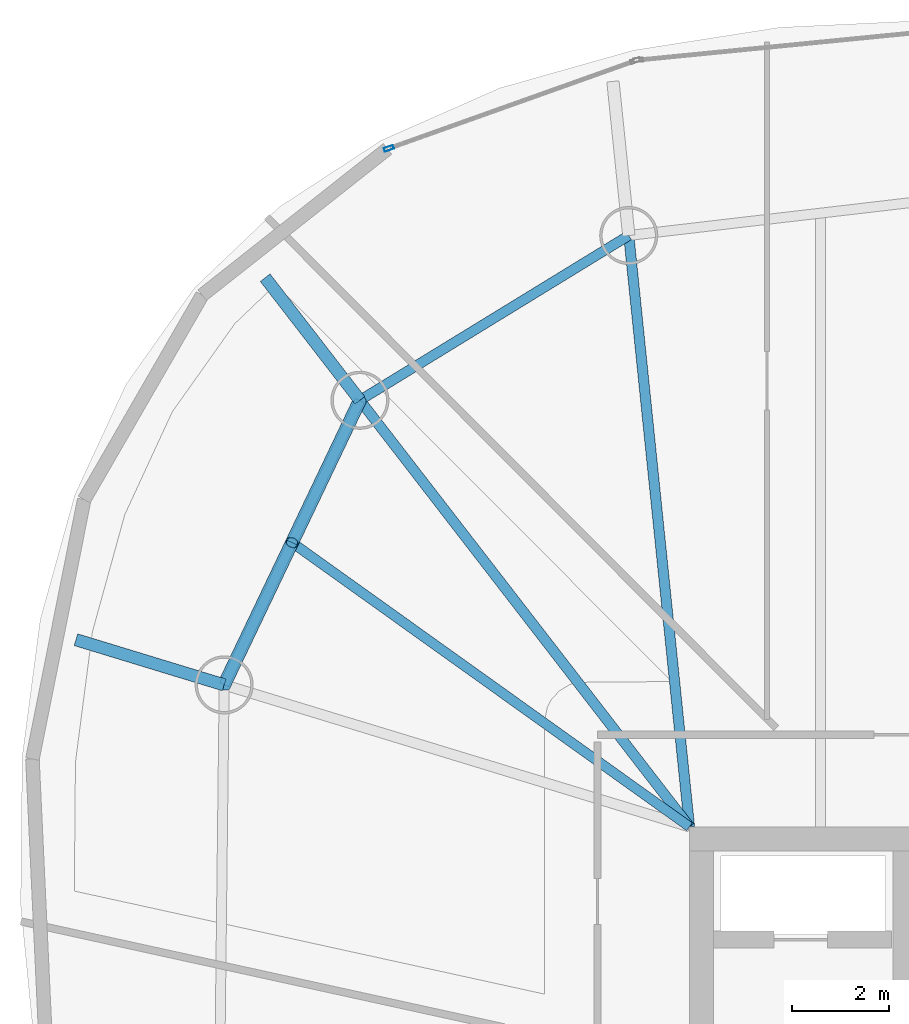
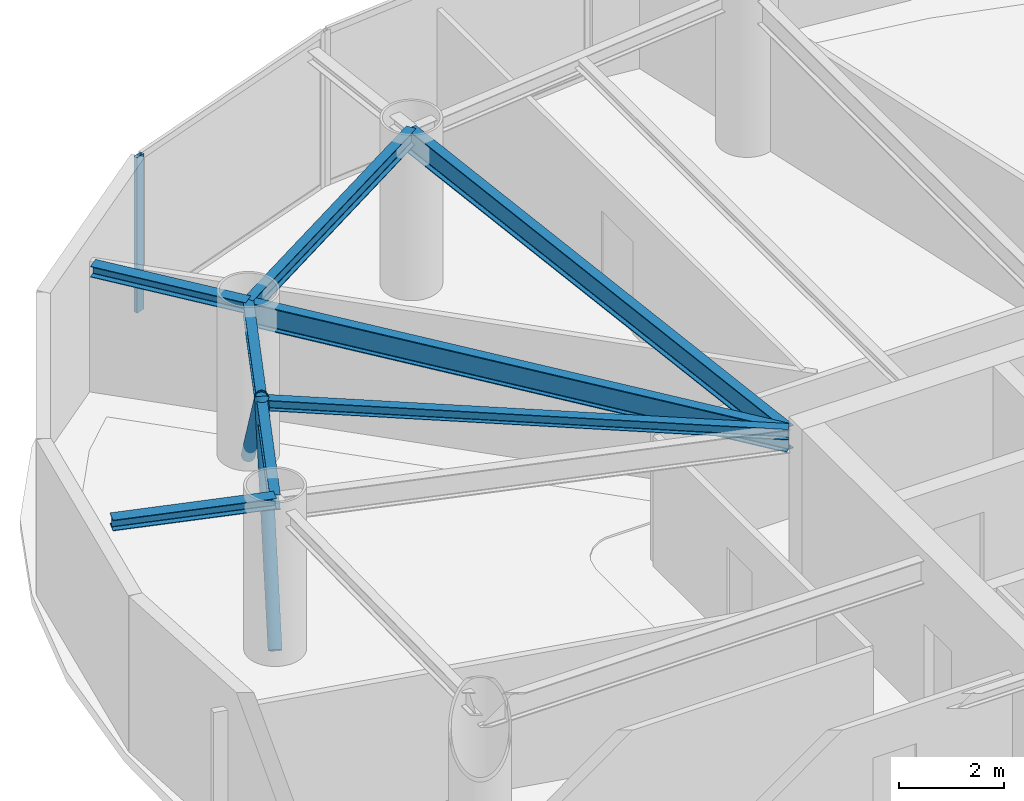
# One storey, part 11 of 23: 7 beams, 3 members, 1 element without a shape of its own.
"""IFC4 building model written with IfcOpenShell, lengths in metres."""

import ifcopenshell
import ifcopenshell.guid

model = None  # the IFC model being written
_history = None  # IfcOwnerHistory: only IFC2X3 demands one
_inside = {}  # id of a spatial element -> (the spatial element, [elements in it])
_under = {}  # id of a project, library or spatial element -> (it, [spatial elements below it])
_declared = {}  # id of a project -> (the project, [libraries it declares])
_typed = {}  # id of a type object -> (the type object, [elements of that type])
_made_of = {}  # id of a material, layer set ... -> (it, [elements and type objects made of it])


def new_model(schema):
    """Start an empty IFC model of exactly this schema.

    Asked for "IFC4X3", IfcOpenShell would pick the latest addendum, in which some entities
    have other attributes; the version numbers below select the first issue.
    IFC2X3 requires an IfcOwnerHistory on every rooted entity: one is made here for all.
    """
    global model, _history
    if schema == "IFC4X3":
        model = ifcopenshell.file(schema_version=(4, 3, 0, 0))
    else:
        model = ifcopenshell.file(schema=schema)
    _inside.clear()
    _under.clear()
    _declared.clear()
    _typed.clear()
    _made_of.clear()
    _history = None
    if model.schema == "IFC2X3":
        org = make("IfcOrganization", Name="unknown")
        user = make(
            "IfcPersonAndOrganization",
            ThePerson=make("IfcPerson", FamilyName="unknown"),
            TheOrganization=org,
        )
        app = make(
            "IfcApplication",
            ApplicationDeveloper=org,
            Version="unknown",
            ApplicationFullName="unknown",
            ApplicationIdentifier="unknown",
        )
        _history = make(
            "IfcOwnerHistory",
            OwningUser=user,
            OwningApplication=app,
            ChangeAction="ADDED",
            CreationDate=0,
        )
    return model


def make(cls, **values):
    """One entity of the class cls with the attributes given. An attribute that is None is left unset."""
    return model.create_entity(
        cls, **{name: value for name, value in values.items() if value is not None}
    )


def rooted(cls, **values):
    """An entity with a GlobalId (a new one), such as an element, a storey or a relation."""
    return make(cls, GlobalId=ifcopenshell.guid.new(), OwnerHistory=_history, **values)


def si_unit(unit_type, name, prefix=None):
    """IfcSIUnit, for example si_unit("LENGTHUNIT", "METRE", prefix="MILLI")."""
    return make("IfcSIUnit", UnitType=unit_type, Prefix=prefix, Name=name)


def assignment(units):
    """IfcUnitAssignment: the units of a project."""
    return None if units is None else make("IfcUnitAssignment", Units=units)


def point(xyz):
    """IfcCartesianPoint."""
    return None if xyz is None else make("IfcCartesianPoint", Coordinates=xyz)


def direction(xyz):
    """IfcDirection."""
    return None if xyz is None else make("IfcDirection", DirectionRatios=xyz)


def frame(location, z_axis=None, x_axis=None):
    """IfcAxis2Placement3D, a coordinate frame: its origin and axes. An axis left out is left unset."""
    return make(
        "IfcAxis2Placement3D",
        Location=point(location),
        Axis=direction(z_axis),
        RefDirection=direction(x_axis),
    )


def frame_2d(location, x_axis=None):
    """IfcAxis2Placement2D, a coordinate frame in the plane: its origin and x axis."""
    return make(
        "IfcAxis2Placement2D", Location=point(location), RefDirection=direction(x_axis)
    )


def origin():
    """The frame at (0, 0, 0) with its axes left unset."""
    return frame((0.0, 0.0, 0.0))


def origin_2d():
    """The frame at (0, 0) in the plane with its x axis left unset."""
    return frame_2d((0.0, 0.0))


def place(relative_to, where):
    """IfcLocalPlacement: puts the frame where relative to a parent placement (None: the world)."""
    return make(
        "IfcLocalPlacement", PlacementRelTo=relative_to, RelativePlacement=where
    )


def context(
    kind, dimensions, precision=None, world=None, true_north=None, identifier=None
):
    """IfcGeometricRepresentationContext, for example the 3D "Model" context."""
    return make(
        "IfcGeometricRepresentationContext",
        ContextIdentifier=identifier,
        ContextType=kind,
        CoordinateSpaceDimension=dimensions,
        Precision=precision,
        WorldCoordinateSystem=world,
        TrueNorth=true_north,
    )


def subcontext(parent, identifier, kind, view, scale=None):
    """IfcGeometricRepresentationSubContext, for example "Body" below "Model"."""
    return make(
        "IfcGeometricRepresentationSubContext",
        ContextIdentifier=identifier,
        ContextType=kind,
        ParentContext=parent,
        TargetScale=scale,
        TargetView=view,
    )


def project(units=None, contexts=None):
    """IfcProject with its units and contexts."""
    return rooted(
        "IfcProject",
        Name="project",
        RepresentationContexts=contexts,
        UnitsInContext=assignment(units),
    )


def spatial(cls, under=None, at=None, **own):
    """A site, building, storey or space (cls), placed at a placement, below another one or the project."""
    s = rooted(cls, ObjectPlacement=at, **own)
    if under is not None:
        _under.setdefault(under.id(), (under, []))[1].append(s)
    return s


def profile(cls, at=None, kind="AREA", **sizes):
    """A parametric profile (cls). Its sizes go by their IFC names, for example OverallWidth=200.0."""
    return make(cls, ProfileType=kind, Position=at, **sizes)


def hollow_rectangle(**sizes):
    """IfcRectangleHollowProfileDef."""
    return profile("IfcRectangleHollowProfileDef", **sizes)


def hollow_circle(**sizes):
    """IfcCircleHollowProfileDef."""
    return profile("IfcCircleHollowProfileDef", **sizes)


def i_section(**sizes):
    """IfcIShapeProfileDef."""
    return profile("IfcIShapeProfileDef", **sizes)


def extrude(swept, where, along, depth):
    """IfcExtrudedAreaSolid: the profile swept, set in the frame where, extruded along a direction by depth."""
    return make(
        "IfcExtrudedAreaSolid",
        SweptArea=swept,
        Position=where,
        ExtrudedDirection=direction(along),
        Depth=depth,
    )


def shape(context_of_items, identifier, shape_type, items):
    """IfcShapeRepresentation: the items that make up one representation, for example the "Body"."""
    return make(
        "IfcShapeRepresentation",
        ContextOfItems=context_of_items,
        RepresentationIdentifier=identifier,
        RepresentationType=shape_type,
        Items=items,
    )


def material(Name=None, Category=None):
    """IfcMaterial."""
    return make("IfcMaterial", Name=Name, Category=Category)


def layer(
    of_material, thickness, ventilated=None, Name=None, Category=None, Priority=None
):
    """IfcMaterialLayer: one layer of a wall or slab, of a material (None: an air gap)."""
    return make(
        "IfcMaterialLayer",
        Material=of_material,
        LayerThickness=thickness,
        IsVentilated=ventilated,
        Name=Name,
        Category=Category,
        Priority=Priority,
    )


def layer_set(layers, Name=None):
    """IfcMaterialLayerSet."""
    return make("IfcMaterialLayerSet", MaterialLayers=layers, LayerSetName=Name)


def material_profile(
    of_material, cross_section, Name=None, Category=None, Priority=None
):
    """IfcMaterialProfile: a cross section and its material."""
    return make(
        "IfcMaterialProfile",
        Name=Name,
        Material=of_material,
        Profile=cross_section,
        Priority=Priority,
        Category=Category,
    )


def profile_set(profiles, Name=None, composite=None):
    """IfcMaterialProfileSet."""
    return make(
        "IfcMaterialProfileSet",
        Name=Name,
        MaterialProfiles=profiles,
        CompositeProfile=composite,
    )


def made_of(thing, what):
    """Note that an element or type object is made of a material, layer set ...; save() writes the relation."""
    if what is not None:
        _made_of.setdefault(what.id(), (what, []))[1].append(thing)
    return thing


def type_object(cls, material=None, **own):
    """A type object (cls), such as IfcWallType, which elements share."""
    return made_of(rooted(cls, **own), material)


def element(
    cls,
    number,
    at=None,
    inside=None,
    cuts=None,
    type_object=None,
    material=None,
    context=None,
    identifier="Body",
    shape_type=None,
    held_by="IfcProductDefinitionShape",
    body=None,
    shapes=None,
    **own,
):
    """One element of the class cls, such as IfcWall. Its Tag is "e" and its number.

    at: its placement. inside: the storey or other place that contains it. cuts: it is an
    opening in that element (IfcRelVoidsElement). A single representation is given by context,
    identifier, shape_type and body (its items); several are given by shapes. held_by: the class
    of the entity that holds the representations. save() writes the other relations.
    """
    e = rooted(cls, Tag="e%d" % number, ObjectPlacement=at, **own)
    if body is not None:
        shapes = [shape(context, identifier, shape_type, body)]
    if shapes is not None:
        e.Representation = make(held_by, Representations=shapes)
    if inside is not None:
        _inside.setdefault(inside.id(), (inside, []))[1].append(e)
    if cuts is not None:
        rooted(
            "IfcRelVoidsElement", RelatingBuildingElement=cuts, RelatedOpeningElement=e
        )
    if type_object is not None:
        _typed.setdefault(type_object.id(), (type_object, []))[1].append(e)
    return made_of(e, material)


def aggregate(whole, parts):
    """IfcRelAggregates: a whole, such as a stair, and the parts it consists of."""
    return rooted("IfcRelAggregates", RelatingObject=whole, RelatedObjects=parts)


def save(model, path):
    """Write the relations noted so far, then the file.

    IfcRelAggregates (storeys below a building ...), IfcRelContainedInSpatialStructure (elements
    in a storey), IfcRelDefinesByType, IfcRelAssociatesMaterial and IfcRelDeclares: one each for
    every whole, place, type object, material and project.
    """
    for whole, parts in _under.values():
        aggregate(whole, parts)
    for where, things in _inside.values():
        rooted(
            "IfcRelContainedInSpatialStructure",
            RelatedElements=things,
            RelatingStructure=where,
        )
    for kind, things in _typed.values():
        rooted("IfcRelDefinesByType", RelatedObjects=things, RelatingType=kind)
    for what, things in _made_of.values():
        rooted("IfcRelAssociatesMaterial", RelatedObjects=things, RelatingMaterial=what)
    for by, libraries in _declared.values():
        rooted("IfcRelDeclares", RelatingContext=by, RelatedDefinitions=libraries)
    model.write(path)


model = new_model("IFC4")

# Units and contexts
model_context = context("Model", 3, precision=1e-05, world=origin(), true_north=direction((0.0, 1.0)))
body_context = subcontext(model_context, "Body", "Model", "MODEL_VIEW")
ifc_project = project(units=[si_unit("LENGTHUNIT", "METRE"), si_unit("AREAUNIT", "SQUARE_METRE"), si_unit("VOLUMEUNIT", "CUBIC_METRE"), si_unit("PLANEANGLEUNIT", "RADIAN"), si_unit("MASSUNIT", "GRAM", prefix="KILO")], contexts=[model_context])

# Site, building, storey
site_placement = place(None, origin())
site = spatial("IfcSite", under=ifc_project, at=site_placement, CompositionType="ELEMENT")
building_placement = place(site_placement, origin())
building = spatial("IfcBuilding", under=site, at=building_placement, Name="Bramvorn Convention Spire", CompositionType="ELEMENT")
storey_placement = place(building_placement, frame((0.0, 0.0, 194.300048828125)))
storey = spatial("IfcBuildingStorey", under=building, at=storey_placement, Name="L49", CompositionType="ELEMENT", Elevation=194.300048828125)

# Beams
ifc_material_1 = material(Name="Steel CSA G40.21 Grade 350 (350W)", Category="steel")
ifc_material_profile_1 = material_profile(ifc_material_1, i_section(OverallWidth=0.201904296875, OverallDepth=0.2470703125, WebThickness=0.00732421875, FlangeThickness=0.010986328125, FilletRadius=0.011962890625, at=origin_2d()))
ifc_profile_set_1 = profile_set([ifc_material_profile_1], Name="Steel CSA G40.21 Grade 350 (350W) - W250X49")
beam_type_1 = type_object("IfcBeamType", Name="BM-W250X49", PredefinedType="JOIST", material=ifc_profile_set_1)
beam_1_placement = place(storey_placement, frame((26.75, 33.449951171875, 3.496337890625), z_axis=(-0.813471895271, 0.581604225916, 0.0), x_axis=(-0.581604225916, -0.813471895271, 0.0)))
element("IfcBeam", 1, at=beam_1_placement, inside=storey, type_object=beam_type_1, Name="L49 composite floor joist 09", PredefinedType="JOIST", context=body_context, shape_type="SweptSolid", body=[
    extrude(i_section(OverallWidth=0.201904296875, OverallDepth=0.2470703125, WebThickness=0.00732421875, FlangeThickness=0.010986328125, FilletRadius=0.011962890625, at=origin_2d()), origin(), (0.0, 0.0, 1.0), 10.093505859375),
])
ifc_material_profile_2 = material_profile(ifc_material_1, i_section(OverallWidth=0.25390625, OverallDepth=0.2529296875, WebThickness=0.008544921875, FlangeThickness=0.01416015625, FilletRadius=0.011962890625, at=origin_2d()))
ifc_profile_set_2 = profile_set([ifc_material_profile_2], Name="Steel CSA G40.21 Grade 350 (350W) - W250X73")
beam_type_2 = type_object("IfcBeamType", Name="BM-W250X73", PredefinedType="BEAM", material=ifc_profile_set_2)
beam_2_placement = place(storey_placement, frame((19.941650390625, 42.260009765625, 3.493408203125), z_axis=(-0.611497441422, 0.791246408607, 0.0), x_axis=(-0.791246408607, -0.611497441422, 0.0)))
element("IfcBeam", 2, at=beam_2_placement, inside=storey, type_object=beam_type_2, Name="L49 slab-edge cantilever tip beam MC09", PredefinedType="BEAM", context=body_context, shape_type="SweptSolid", body=[
    extrude(i_section(OverallWidth=0.25390625, OverallDepth=0.2529296875, WebThickness=0.008544921875, FlangeThickness=0.01416015625, FilletRadius=0.011962890625, at=origin_2d()), origin(), (0.0, 0.0, 1.0), 3.199951171875),
])
beam_3_placement = place(storey_placement, frame((17.136962890625, 36.380615234375, 3.493408203125), z_axis=(-0.956544433432, 0.291586602694, 0.0), x_axis=(-0.291586602694, -0.956544433432, 0.0)))
element("IfcBeam", 3, at=beam_3_placement, inside=storey, type_object=beam_type_2, Name="L49 slab-edge cantilever tip beam MC10", PredefinedType="BEAM", context=body_context, shape_type="SweptSolid", body=[
    extrude(i_section(OverallWidth=0.25390625, OverallDepth=0.2529296875, WebThickness=0.008544921875, FlangeThickness=0.01416015625, FilletRadius=0.011962890625, at=origin_2d()), origin(), (0.0, 0.0, 1.0), 3.2001953125),
])
ifc_material_profile_3 = material_profile(ifc_material_1, i_section(OverallWidth=0.205078125, OverallDepth=0.35400390625, WebThickness=0.009521484375, FlangeThickness=0.016845703125, FilletRadius=0.014892578125, at=origin_2d()))
ifc_profile_set_3 = profile_set([ifc_material_profile_3], Name="Steel CSA G40.21 Grade 350 (350W) - W360X79")
beam_type_3 = type_object("IfcBeamType", Name="BM-W360X79", PredefinedType="JOIST", material=ifc_profile_set_3)
beam_4_placement = place(storey_placement, frame((25.49560546875, 45.663818359375, 3.44287109375), z_axis=(-0.852616873135, -0.522536570629, 0.0), x_axis=(0.522536570629, -0.852616873135, 0.0)))
element("IfcBeam", 4, at=beam_4_placement, inside=storey, type_object=beam_type_3, Name="L49 mega-column ring beam 08", PredefinedType="JOIST", context=body_context, shape_type="SweptSolid", body=[
    extrude(i_section(OverallWidth=0.205078125, OverallDepth=0.35400390625, WebThickness=0.009521484375, FlangeThickness=0.016845703125, FilletRadius=0.014892578125, at=origin_2d()), origin(), (0.0, 0.0, 1.0), 6.513916015625),
])
beam_5_placement = place(storey_placement, frame((19.941650390625, 42.260009765625, 3.44287109375), z_axis=(-0.430556138422, -0.902563799223, 0.0), x_axis=(0.902563799223, -0.430556138422, 0.0)))
element("IfcBeam", 5, at=beam_5_placement, inside=storey, type_object=beam_type_3, Name="L49 mega-column ring beam 09", PredefinedType="JOIST", context=body_context, shape_type="SweptSolid", body=[
    extrude(i_section(OverallWidth=0.205078125, OverallDepth=0.35400390625, WebThickness=0.009521484375, FlangeThickness=0.016845703125, FilletRadius=0.014892578125, at=origin_2d()), origin(), (0.0, 0.0, 1.0), 6.51416015625),
])
ifc_material_profile_4 = material_profile(ifc_material_1, i_section(OverallWidth=0.2119140625, OverallDepth=0.5439453125, WebThickness=0.01318359375, FlangeThickness=0.021240234375, FilletRadius=0.01904296875, at=origin_2d()))
ifc_profile_set_4 = profile_set([ifc_material_profile_4], Name="Steel CSA G40.21 Grade 350 (350W) - W530X123")
beam_type_4 = type_object("IfcBeamType", Name="BM-W530X123", PredefinedType="BEAM", material=ifc_profile_set_4)
beam_6_placement = place(storey_placement, frame((26.75, 33.449951171875, 3.347900390625), z_axis=(-0.10216509146, 0.994767457292, 0.0), x_axis=(-0.994767457292, -0.10216509146, 0.0)))
element("IfcBeam", 6, at=beam_6_placement, inside=storey, type_object=beam_type_4, Name="L49 radial floor girder MC08", PredefinedType="BEAM", context=body_context, shape_type="SweptSolid", body=[
    extrude(i_section(OverallWidth=0.2119140625, OverallDepth=0.5439453125, WebThickness=0.01318359375, FlangeThickness=0.021240234375, FilletRadius=0.01904296875, at=origin_2d()), origin(), (0.0, 0.0, 1.0), 12.278076171875),
])
beam_7_placement = place(storey_placement, frame((26.75, 33.449951171875, 3.347900390625), z_axis=(-0.611479951477, 0.791259925019, 0.0), x_axis=(-0.791259925019, -0.611479951477, 0.0)))
element("IfcBeam", 7, at=beam_7_placement, inside=storey, type_object=beam_type_4, Name="L49 radial floor girder MC09", PredefinedType="BEAM", context=body_context, shape_type="SweptSolid", body=[
    extrude(i_section(OverallWidth=0.2119140625, OverallDepth=0.5439453125, WebThickness=0.01318359375, FlangeThickness=0.021240234375, FilletRadius=0.01904296875, at=origin_2d()), origin(), (0.0, 0.0, 1.0), 11.13427734375),
])

# Curtain wall, member
ifc_material_2 = material(Name="Anodised Bronze Unitised Curtain Wall", Category="aluminium")
ifc_layer = layer(ifc_material_2, 0.179931640625)
ifc_layer_set = layer_set([ifc_layer], Name="Anodised Bronze Unitised Curtain Wall - CW-OFF-FRIT")
curtain_wall_type = type_object("IfcCurtainWallType", Name="CW-OFF-FRIT", PredefinedType="USERDEFINED", material=ifc_layer_set)
curtain_wall_placement = place(storey_placement, origin())
curtain_wall = element("IfcCurtainWall", 8, at=curtain_wall_placement, inside=storey, type_object=curtain_wall_type, Name="L49 fritted glass curtain wall 11", ObjectType="UNITISED CURTAIN WALL", PredefinedType="USERDEFINED")
ifc_material_3 = material(Name="Anodised Bronze Aluminium 6063-T6", Category="aluminium")
ifc_material_profile_5 = material_profile(ifc_material_3, hollow_rectangle(XDim=0.080078125, YDim=0.199951171875, WallThickness=0.00390625, InnerFilletRadius=0.0009765625, OuterFilletRadius=0.00390625, at=origin_2d()))
ifc_profile_set_5 = profile_set([ifc_material_profile_5], Name="Anodised Bronze Aluminium 6063-T6 - CWM80X200")
member_type_1 = type_object("IfcMemberType", Name="CW-MUL-180", PredefinedType="MULLION", material=ifc_profile_set_5)
member_placement = place(storey_placement, frame((20.539794921875, 47.463134765625, 0.0), z_axis=(0.0, 0.0, 1.0), x_axis=(-0.335377520257, 0.942083817347, 0.0)))
member = element("IfcMember", 9, at=member_placement, type_object=member_type_1, Name="CW3 mullion 1", PredefinedType="MULLION", context=body_context, shape_type="SweptSolid", body=[
    extrude(hollow_rectangle(XDim=0.080078125, YDim=0.199951171875, WallThickness=0.00390625, InnerFilletRadius=0.0009765625, OuterFilletRadius=0.00390625, at=origin_2d()), origin(), (0.0, 0.0, 1.0), 3.619873046875),
])
aggregate(curtain_wall, [member])

# Members
ifc_material_profile_6 = material_profile(ifc_material_1, hollow_circle(Radius=0.136474609375, WallThickness=0.0126953125, at=origin_2d()))
ifc_profile_set_6 = profile_set([ifc_material_profile_6], Name="Steel CSA G40.21 Grade 350 (350W) - CHS273X13")
member_type_2 = type_object("IfcMemberType", Name="MBR-CHS273X13", PredefinedType="BRACE", material=ifc_profile_set_6)
for number, where, z_axis, x_axis, name in (
    (10, (19.941650390625, 42.260009765625, 0.0), (-0.287986142668, -0.603697970728, 0.743379271819), (0.902563799223, -0.430556138422, 0.0), "L49 perimeter Gothic lancet brace 9A"),
    (11, (17.136962890625, 36.380615234375, 0.0), (0.287986142668, 0.603697970728, 0.743379271819), (-0.902563799223, 0.430556138422, 0.0), "L49 perimeter Gothic lancet brace 9B"),
):
    element("IfcMember", number, at=place(storey_placement, frame(where, z_axis=z_axis, x_axis=x_axis)), inside=storey, type_object=member_type_2, Name=name, PredefinedType="BRACE", context=body_context, shape_type="SweptSolid", body=[
        extrude(hollow_circle(Radius=0.136474609375, WallThickness=0.0126953125, at=origin_2d()), origin(), (0.0, 0.0, 1.0), 4.869384765625),
    ])

save(model, "model.ifc")
